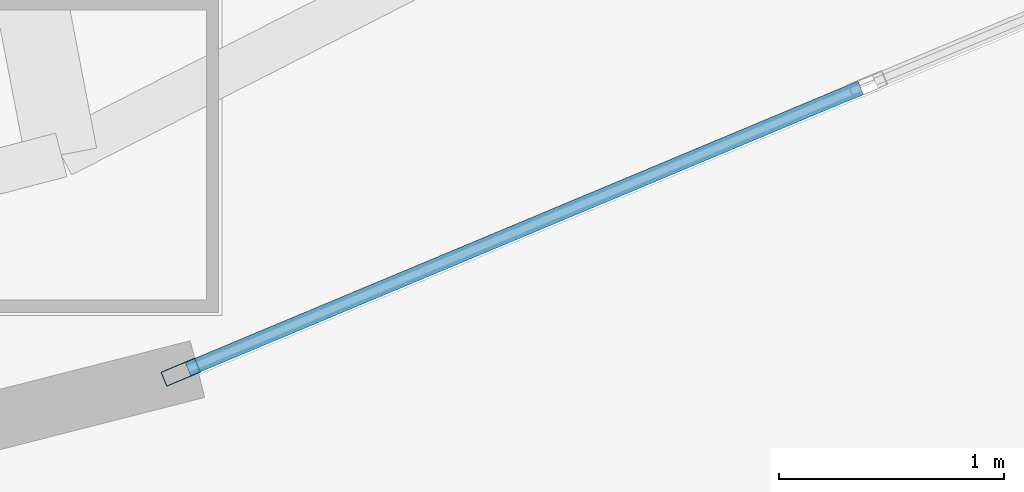
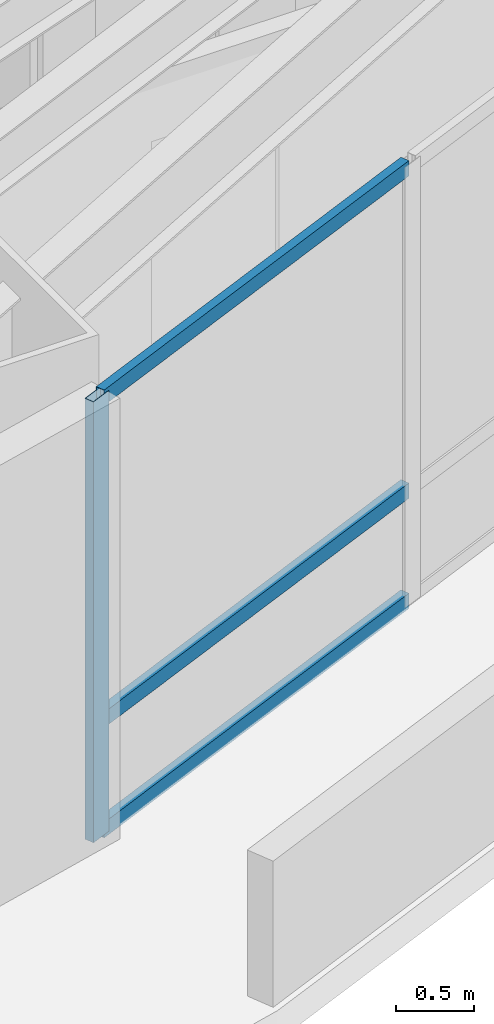
# One storey, part 2 of 17: 4 members, 1 element without a shape of its own.
"""IFC4 building model written with IfcOpenShell, lengths in metres."""

import ifcopenshell
import ifcopenshell.guid

model = None  # the IFC model being written
_history = None  # IfcOwnerHistory: only IFC2X3 demands one
_inside = {}  # id of a spatial element -> (the spatial element, [elements in it])
_under = {}  # id of a project, library or spatial element -> (it, [spatial elements below it])
_declared = {}  # id of a project -> (the project, [libraries it declares])
_typed = {}  # id of a type object -> (the type object, [elements of that type])
_made_of = {}  # id of a material, layer set ... -> (it, [elements and type objects made of it])


def new_model(schema):
    """Start an empty IFC model of exactly this schema.

    Asked for "IFC4X3", IfcOpenShell would pick the latest addendum, in which some entities
    have other attributes; the version numbers below select the first issue.
    IFC2X3 requires an IfcOwnerHistory on every rooted entity: one is made here for all.
    """
    global model, _history
    if schema == "IFC4X3":
        model = ifcopenshell.file(schema_version=(4, 3, 0, 0))
    else:
        model = ifcopenshell.file(schema=schema)
    _inside.clear()
    _under.clear()
    _declared.clear()
    _typed.clear()
    _made_of.clear()
    _history = None
    if model.schema == "IFC2X3":
        org = make("IfcOrganization", Name="unknown")
        user = make(
            "IfcPersonAndOrganization",
            ThePerson=make("IfcPerson", FamilyName="unknown"),
            TheOrganization=org,
        )
        app = make(
            "IfcApplication",
            ApplicationDeveloper=org,
            Version="unknown",
            ApplicationFullName="unknown",
            ApplicationIdentifier="unknown",
        )
        _history = make(
            "IfcOwnerHistory",
            OwningUser=user,
            OwningApplication=app,
            ChangeAction="ADDED",
            CreationDate=0,
        )
    return model


def make(cls, **values):
    """One entity of the class cls with the attributes given. An attribute that is None is left unset."""
    return model.create_entity(
        cls, **{name: value for name, value in values.items() if value is not None}
    )


def rooted(cls, **values):
    """An entity with a GlobalId (a new one), such as an element, a storey or a relation."""
    return make(cls, GlobalId=ifcopenshell.guid.new(), OwnerHistory=_history, **values)


def si_unit(unit_type, name, prefix=None):
    """IfcSIUnit, for example si_unit("LENGTHUNIT", "METRE", prefix="MILLI")."""
    return make("IfcSIUnit", UnitType=unit_type, Prefix=prefix, Name=name)


def assignment(units):
    """IfcUnitAssignment: the units of a project."""
    return None if units is None else make("IfcUnitAssignment", Units=units)


def point(xyz):
    """IfcCartesianPoint."""
    return None if xyz is None else make("IfcCartesianPoint", Coordinates=xyz)


def direction(xyz):
    """IfcDirection."""
    return None if xyz is None else make("IfcDirection", DirectionRatios=xyz)


def frame(location, z_axis=None, x_axis=None):
    """IfcAxis2Placement3D, a coordinate frame: its origin and axes. An axis left out is left unset."""
    return make(
        "IfcAxis2Placement3D",
        Location=point(location),
        Axis=direction(z_axis),
        RefDirection=direction(x_axis),
    )


def frame_2d(location, x_axis=None):
    """IfcAxis2Placement2D, a coordinate frame in the plane: its origin and x axis."""
    return make(
        "IfcAxis2Placement2D", Location=point(location), RefDirection=direction(x_axis)
    )


def origin():
    """The frame at (0, 0, 0) with its axes left unset."""
    return frame((0.0, 0.0, 0.0))


def origin_2d():
    """The frame at (0, 0) in the plane with its x axis left unset."""
    return frame_2d((0.0, 0.0))


def place(relative_to, where):
    """IfcLocalPlacement: puts the frame where relative to a parent placement (None: the world)."""
    return make(
        "IfcLocalPlacement", PlacementRelTo=relative_to, RelativePlacement=where
    )


def context(
    kind, dimensions, precision=None, world=None, true_north=None, identifier=None
):
    """IfcGeometricRepresentationContext, for example the 3D "Model" context."""
    return make(
        "IfcGeometricRepresentationContext",
        ContextIdentifier=identifier,
        ContextType=kind,
        CoordinateSpaceDimension=dimensions,
        Precision=precision,
        WorldCoordinateSystem=world,
        TrueNorth=true_north,
    )


def subcontext(parent, identifier, kind, view, scale=None):
    """IfcGeometricRepresentationSubContext, for example "Body" below "Model"."""
    return make(
        "IfcGeometricRepresentationSubContext",
        ContextIdentifier=identifier,
        ContextType=kind,
        ParentContext=parent,
        TargetScale=scale,
        TargetView=view,
    )


def project(units=None, contexts=None):
    """IfcProject with its units and contexts."""
    return rooted(
        "IfcProject",
        Name="project",
        RepresentationContexts=contexts,
        UnitsInContext=assignment(units),
    )


def spatial(cls, under=None, at=None, **own):
    """A site, building, storey or space (cls), placed at a placement, below another one or the project."""
    s = rooted(cls, ObjectPlacement=at, **own)
    if under is not None:
        _under.setdefault(under.id(), (under, []))[1].append(s)
    return s


def profile(cls, at=None, kind="AREA", **sizes):
    """A parametric profile (cls). Its sizes go by their IFC names, for example OverallWidth=200.0."""
    return make(cls, ProfileType=kind, Position=at, **sizes)


def hollow_rectangle(**sizes):
    """IfcRectangleHollowProfileDef."""
    return profile("IfcRectangleHollowProfileDef", **sizes)


def extrude(swept, where, along, depth):
    """IfcExtrudedAreaSolid: the profile swept, set in the frame where, extruded along a direction by depth."""
    return make(
        "IfcExtrudedAreaSolid",
        SweptArea=swept,
        Position=where,
        ExtrudedDirection=direction(along),
        Depth=depth,
    )


def shape(context_of_items, identifier, shape_type, items):
    """IfcShapeRepresentation: the items that make up one representation, for example the "Body"."""
    return make(
        "IfcShapeRepresentation",
        ContextOfItems=context_of_items,
        RepresentationIdentifier=identifier,
        RepresentationType=shape_type,
        Items=items,
    )


def material(Name=None, Category=None):
    """IfcMaterial."""
    return make("IfcMaterial", Name=Name, Category=Category)


def layer(
    of_material, thickness, ventilated=None, Name=None, Category=None, Priority=None
):
    """IfcMaterialLayer: one layer of a wall or slab, of a material (None: an air gap)."""
    return make(
        "IfcMaterialLayer",
        Material=of_material,
        LayerThickness=thickness,
        IsVentilated=ventilated,
        Name=Name,
        Category=Category,
        Priority=Priority,
    )


def layer_set(layers, Name=None):
    """IfcMaterialLayerSet."""
    return make("IfcMaterialLayerSet", MaterialLayers=layers, LayerSetName=Name)


def material_profile(
    of_material, cross_section, Name=None, Category=None, Priority=None
):
    """IfcMaterialProfile: a cross section and its material."""
    return make(
        "IfcMaterialProfile",
        Name=Name,
        Material=of_material,
        Profile=cross_section,
        Priority=Priority,
        Category=Category,
    )


def profile_set(profiles, Name=None, composite=None):
    """IfcMaterialProfileSet."""
    return make(
        "IfcMaterialProfileSet",
        Name=Name,
        MaterialProfiles=profiles,
        CompositeProfile=composite,
    )


def made_of(thing, what):
    """Note that an element or type object is made of a material, layer set ...; save() writes the relation."""
    if what is not None:
        _made_of.setdefault(what.id(), (what, []))[1].append(thing)
    return thing


def type_object(cls, material=None, **own):
    """A type object (cls), such as IfcWallType, which elements share."""
    return made_of(rooted(cls, **own), material)


def element(
    cls,
    number,
    at=None,
    inside=None,
    cuts=None,
    type_object=None,
    material=None,
    context=None,
    identifier="Body",
    shape_type=None,
    held_by="IfcProductDefinitionShape",
    body=None,
    shapes=None,
    **own,
):
    """One element of the class cls, such as IfcWall. Its Tag is "e" and its number.

    at: its placement. inside: the storey or other place that contains it. cuts: it is an
    opening in that element (IfcRelVoidsElement). A single representation is given by context,
    identifier, shape_type and body (its items); several are given by shapes. held_by: the class
    of the entity that holds the representations. save() writes the other relations.
    """
    e = rooted(cls, Tag="e%d" % number, ObjectPlacement=at, **own)
    if body is not None:
        shapes = [shape(context, identifier, shape_type, body)]
    if shapes is not None:
        e.Representation = make(held_by, Representations=shapes)
    if inside is not None:
        _inside.setdefault(inside.id(), (inside, []))[1].append(e)
    if cuts is not None:
        rooted(
            "IfcRelVoidsElement", RelatingBuildingElement=cuts, RelatedOpeningElement=e
        )
    if type_object is not None:
        _typed.setdefault(type_object.id(), (type_object, []))[1].append(e)
    return made_of(e, material)


def aggregate(whole, parts):
    """IfcRelAggregates: a whole, such as a stair, and the parts it consists of."""
    return rooted("IfcRelAggregates", RelatingObject=whole, RelatedObjects=parts)


def save(model, path):
    """Write the relations noted so far, then the file.

    IfcRelAggregates (storeys below a building ...), IfcRelContainedInSpatialStructure (elements
    in a storey), IfcRelDefinesByType, IfcRelAssociatesMaterial and IfcRelDeclares: one each for
    every whole, place, type object, material and project.
    """
    for whole, parts in _under.values():
        aggregate(whole, parts)
    for where, things in _inside.values():
        rooted(
            "IfcRelContainedInSpatialStructure",
            RelatedElements=things,
            RelatingStructure=where,
        )
    for kind, things in _typed.values():
        rooted("IfcRelDefinesByType", RelatedObjects=things, RelatingType=kind)
    for what, things in _made_of.values():
        rooted("IfcRelAssociatesMaterial", RelatedObjects=things, RelatingMaterial=what)
    for by, libraries in _declared.values():
        rooted("IfcRelDeclares", RelatingContext=by, RelatedDefinitions=libraries)
    model.write(path)


model = new_model("IFC4")

# Units and contexts
model_context = context("Model", 3, precision=1e-05, world=origin(), true_north=direction((0.0, 1.0)))
body_context = subcontext(model_context, "Body", "Model", "MODEL_VIEW")
ifc_project = project(units=[si_unit("LENGTHUNIT", "METRE"), si_unit("AREAUNIT", "SQUARE_METRE"), si_unit("VOLUMEUNIT", "CUBIC_METRE"), si_unit("PLANEANGLEUNIT", "RADIAN"), si_unit("MASSUNIT", "GRAM", prefix="KILO")], contexts=[model_context])

# Site, building, storey
site_placement = place(None, origin())
site = spatial("IfcSite", under=ifc_project, at=site_placement, CompositionType="ELEMENT")
building_placement = place(site_placement, origin())
building = spatial("IfcBuilding", under=site, at=building_placement, Name="Menara Vayukalpa", CompositionType="ELEMENT")
storey_placement = place(building_placement, frame((0.0, 0.0, 27.60009765625)))
storey = spatial("IfcBuildingStorey", under=building, at=storey_placement, Name="L05", CompositionType="ELEMENT", Elevation=27.60009765625)

# Curtain wall, members
ifc_material_1 = material(Name="Anodised Terracotta Aluminium Alloy 6063-T6", Category="masonry")
ifc_layer = layer(ifc_material_1, 0.1650390625)
ifc_layer_set = layer_set([ifc_layer], Name="Anodised Terracotta Aluminium Alloy 6063-T6")
curtain_wall_type = type_object("IfcCurtainWallType", Name="CW-CW2", PredefinedType="USERDEFINED", material=ifc_layer_set)
curtain_wall_placement = place(storey_placement, origin())
curtain_wall = element("IfcCurtainWall", 1, at=curtain_wall_placement, inside=storey, type_object=curtain_wall_type, Name="L05 Low Rise Terracotta Ribbon Curtain Wall CW2 16", ObjectType="UNITISED", PredefinedType="USERDEFINED")
ifc_material_2 = material(Name="Anodised Terracotta Aluminium Alloy 6063-T6", Category="masonry")
ifc_material_profile_1 = material_profile(ifc_material_2, hollow_rectangle(XDim=0.070068359375, YDim=0.1650390625, WallThickness=0.00390625, at=origin_2d()), Name="ALU 70x165x4")
ifc_profile_set_1 = profile_set([ifc_material_profile_1], Name="Anodised Terracotta Aluminium Alloy 6063-T6")
member_type_1 = type_object("IfcMemberType", Name="CWM-CW2", PredefinedType="MULLION", material=ifc_profile_set_1)
member_1_placement = place(storey_placement, frame((23.950927734375, 9.110595703125, 0.0), z_axis=(0.0, 0.0, 1.0), x_axis=(-0.385895120445, 0.922542658101, 0.0)))
member_1 = element("IfcMember", 2, at=member_1_placement, type_object=member_type_1, Name="CW2 mullion 1", PredefinedType="MULLION", context=body_context, shape_type="SweptSolid", body=[
    extrude(hollow_rectangle(XDim=0.070068359375, YDim=0.1650390625, WallThickness=0.00390625, at=origin_2d()), origin(), (0.0, 0.0, 1.0), 3.469970703125),
])
ifc_material_3 = material(Name="Anodised Terracotta Aluminium Alloy 6063-T6", Category="masonry")
ifc_material_profile_2 = material_profile(ifc_material_3, hollow_rectangle(XDim=0.06494140625, YDim=0.1201171875, WallThickness=0.00341796875, at=origin_2d()), Name="ALU 65x120x3.5")
ifc_profile_set_2 = profile_set([ifc_material_profile_2], Name="Anodised Terracotta Aluminium Alloy 6063-T6")
member_type_2 = type_object("IfcMemberType", Name="CWT-CW2", PredefinedType="USERDEFINED", material=ifc_profile_set_2)
member_2_placement = place(storey_placement, frame((23.983154296875, 9.1240234375, 0.032470703125), z_axis=(0.922552588381, 0.385871379699, 0.0), x_axis=(-0.385871379699, 0.922552588381, 0.0)))
member_2 = element("IfcMember", 3, at=member_2_placement, type_object=member_type_2, Name="CW2 transom 1.1", ObjectType="TRANSOM", PredefinedType="USERDEFINED", context=body_context, shape_type="SweptSolid", body=[
    extrude(hollow_rectangle(XDim=0.06494140625, YDim=0.1201171875, WallThickness=0.00341796875, at=origin_2d()), origin(), (0.0, 0.0, 1.0), 3.24267578125),
])
member_3_placement = place(storey_placement, frame((23.983154296875, 9.1240234375, 0.89990234375), z_axis=(0.922552588381, 0.385871379699, 0.0), x_axis=(-0.385871379699, 0.922552588381, 0.0)))
member_3 = element("IfcMember", 4, at=member_3_placement, type_object=member_type_2, Name="CW2 transom 1.2", ObjectType="TRANSOM", PredefinedType="USERDEFINED", context=body_context, shape_type="SweptSolid", body=[
    extrude(hollow_rectangle(XDim=0.06494140625, YDim=0.1201171875, WallThickness=0.00341796875, at=origin_2d()), origin(), (0.0, 0.0, 1.0), 3.24267578125),
])
member_4_placement = place(storey_placement, frame((23.983154296875, 9.1240234375, 3.4375), z_axis=(0.922552588381, 0.385871379699, 0.0), x_axis=(-0.385871379699, 0.922552588381, 0.0)))
member_4 = element("IfcMember", 5, at=member_4_placement, type_object=member_type_2, Name="CW2 transom 1.3", ObjectType="TRANSOM", PredefinedType="USERDEFINED", context=body_context, shape_type="SweptSolid", body=[
    extrude(hollow_rectangle(XDim=0.06494140625, YDim=0.1201171875, WallThickness=0.00341796875, at=origin_2d()), origin(), (0.0, 0.0, 1.0), 3.24267578125),
])
aggregate(curtain_wall, [member_1, member_2, member_3, member_4])

save(model, "model.ifc")
